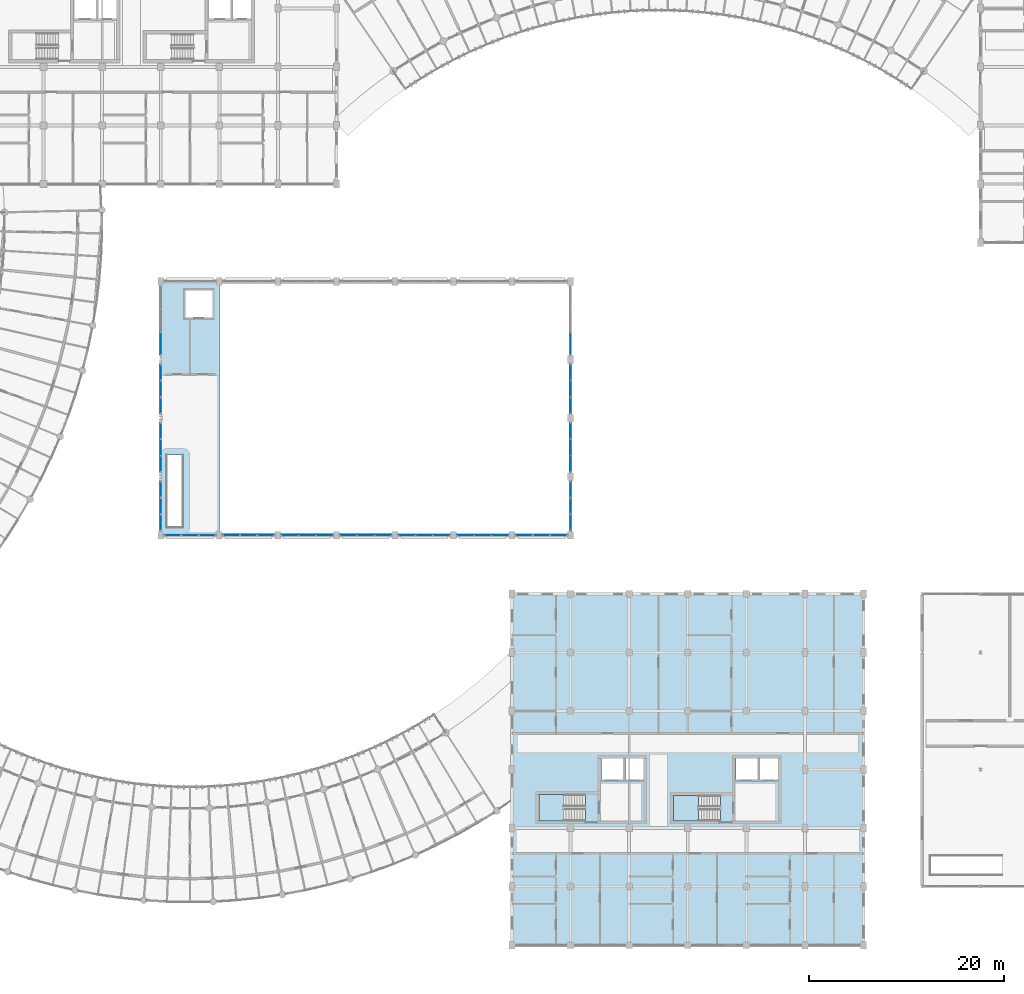
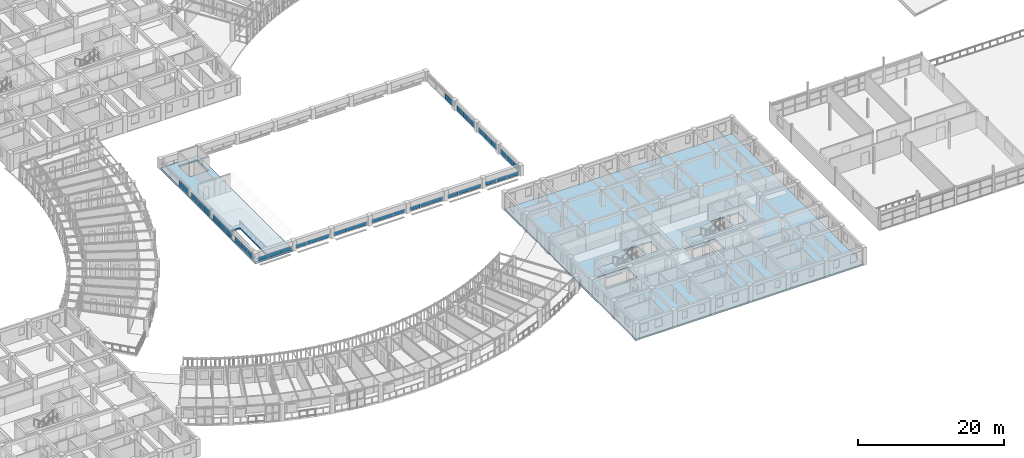
# One storey, part 78 of 137: 41 plates, 4 slabs, 17 elements without a shape of their own.
"""IFC4 building model written with IfcOpenShell, lengths in metres."""

from ifc_helpers import new_model, si_unit, direction, frame, origin, origin_2d, place, context, subcontext, project, spatial, polyline, rectangle, outline, extrude, material, layer, layer_set, type_object, element, aggregate, save


model = new_model("IFC4")

# Units and contexts
model_context = context("Model", 3, precision=1e-05, world=origin(), true_north=direction((0.0, 1.0)))
body_context = subcontext(model_context, "Body", "Model", "MODEL_VIEW")
ifc_project = project(units=[si_unit("LENGTHUNIT", "METRE"), si_unit("AREAUNIT", "SQUARE_METRE"), si_unit("VOLUMEUNIT", "CUBIC_METRE"), si_unit("PLANEANGLEUNIT", "RADIAN"), si_unit("MASSUNIT", "GRAM", prefix="KILO"), si_unit("POWERUNIT", "WATT"), si_unit("THERMODYNAMICTEMPERATUREUNIT", "KELVIN")], contexts=[model_context])

# Site, building, storey
site_placement = place(None, origin())
site = spatial("IfcSite", under=ifc_project, at=site_placement, CompositionType="ELEMENT")
building_placement = place(site_placement, origin())
building = spatial("IfcBuilding", under=site, at=building_placement, Name="Ruvembo Vaulted Housing Court", CompositionType="ELEMENT")
storey_placement = place(building_placement, frame((0.0, 0.0, 4.5)))
storey = spatial("IfcBuildingStorey", under=building, at=storey_placement, Name="L01", CompositionType="ELEMENT", Elevation=4.5)

# Curtain wall, plates
ifc_material_1 = material(Name="Anodised Aluminium and Solar-Control Glass", Category="aluminium")
ifc_layer_1 = layer(ifc_material_1, 0.139892578125, Name="Anodised Aluminium and Solar-Control Glass")
ifc_layer_set_1 = layer_set([ifc_layer_1], Name="Anodised Aluminium and Solar-Control Glass")
curtain_wall_type_1 = type_object("IfcCurtainWallType", Name="CW-HALL-CLER", PredefinedType="NOTDEFINED", material=ifc_layer_set_1)
curtain_wall_1_placement = place(storey_placement, origin())
curtain_wall_1 = element("IfcCurtainWall", 1, at=curtain_wall_1_placement, inside=storey, type_object=curtain_wall_type_1, Name="L01 Curtain Wall CW-L01-0090", PredefinedType="NOTDEFINED")
ifc_material_2 = material(Name="Solar-Control Laminated Insulating Glass", Category="glass")
ifc_layer_2 = layer(ifc_material_2, 0.035888671875, Name="Solar-Control Laminated Insulating Glass")
ifc_layer_set_2 = layer_set([ifc_layer_2], Name="Solar-Control Laminated Insulating Glass")
plate_type_1 = type_object("IfcPlateType", Name="CW-PANEL-ACOUST", PredefinedType="CURTAIN_PANEL", material=ifc_layer_set_2)
plate_1_placement = place(storey_placement, frame((67.23291015625, 42.0, 0.06005859375), z_axis=(0.0, 0.0, 1.0), x_axis=(1.0, 0.0, 0.0)))
plate_1 = element("IfcPlate", 2, at=plate_1_placement, type_object=plate_type_1, Name="CW7 panel 1.1", PredefinedType="CURTAIN_PANEL", context=body_context, shape_type="SweptSolid", body=[
    extrude(rectangle(XDim=1.685791015625, YDim=0.035888671875, at=origin_2d()), origin(), (0.0, 0.0, 1.0), 0.6298828125),
])
plate_2_placement = place(storey_placement, frame((69.0, 42.0, 0.06005859375), z_axis=(0.0, 0.0, 1.0), x_axis=(1.0, 0.0, 0.0)))
plate_2 = element("IfcPlate", 3, at=plate_2_placement, type_object=plate_type_1, Name="CW7 panel 2.1", PredefinedType="CURTAIN_PANEL", context=body_context, shape_type="SweptSolid", body=[
    extrude(rectangle(XDim=1.71826171875, YDim=0.035888671875, at=origin_2d()), origin(), (0.0, 0.0, 1.0), 0.6298828125),
])
plate_3_placement = place(storey_placement, frame((70.76708984375, 42.0, 0.06005859375), z_axis=(0.0, 0.0, 1.0), x_axis=(1.0, 0.0, 0.0)))
plate_3 = element("IfcPlate", 4, at=plate_3_placement, type_object=plate_type_1, Name="CW7 panel 3.1", PredefinedType="CURTAIN_PANEL", context=body_context, shape_type="SweptSolid", body=[
    extrude(rectangle(XDim=1.685791015625, YDim=0.035888671875, at=origin_2d()), origin(), (0.0, 0.0, 1.0), 0.6298828125),
])
aggregate(curtain_wall_1, [plate_1, plate_2, plate_3])

ifc_layer_3 = layer(ifc_material_1, 0.179931640625, Name="Anodised Aluminium and Solar-Control Glass")
ifc_layer_set_3 = layer_set([ifc_layer_3], Name="Anodised Aluminium and Solar-Control Glass")
curtain_wall_type_2 = type_object("IfcCurtainWallType", Name="CW-HALL-TYMP", PredefinedType="NOTDEFINED", material=ifc_layer_set_3)
curtain_wall_2_placement = place(storey_placement, origin())
curtain_wall_2 = element("IfcCurtainWall", 5, at=curtain_wall_2_placement, inside=storey, type_object=curtain_wall_type_2, Name="L01 Curtain Wall CW-L01-0114", PredefinedType="NOTDEFINED")
plate_4_placement = place(storey_placement, frame((66.0, 43.316162109375, 0.06005859375), z_axis=(0.0, 0.0, 1.0), x_axis=(0.0, 1.0, 0.0)))
plate_4 = element("IfcPlate", 6, at=plate_4_placement, type_object=plate_type_1, Name="CW2 panel 1.1", PredefinedType="CURTAIN_PANEL", context=body_context, shape_type="SweptSolid", body=[
    extrude(rectangle(XDim=1.6025390625, YDim=0.035888671875, at=origin_2d()), origin(), (0.0, 0.0, 1.0), 0.97998046875),
])
plate_5_placement = place(storey_placement, frame((66.0, 45.0, 0.06005859375), z_axis=(0.0, 0.0, 1.0), x_axis=(0.0, 1.0, 0.0)))
plate_5 = element("IfcPlate", 7, at=plate_5_placement, type_object=plate_type_1, Name="CW2 panel 2.1", PredefinedType="CURTAIN_PANEL", context=body_context, shape_type="SweptSolid", body=[
    extrude(rectangle(XDim=1.635009765625, YDim=0.035888671875, at=origin_2d()), origin(), (0.0, 0.0, 1.0), 0.97998046875),
])
plate_6_placement = place(storey_placement, frame((66.0, 46.683837890625, 0.06005859375), z_axis=(0.0, 0.0, 1.0), x_axis=(0.0, 1.0, 0.0)))
plate_6 = element("IfcPlate", 8, at=plate_6_placement, type_object=plate_type_1, Name="CW2 panel 3.1", PredefinedType="CURTAIN_PANEL", context=body_context, shape_type="SweptSolid", body=[
    extrude(rectangle(XDim=1.6025390625, YDim=0.035888671875, at=origin_2d()), origin(), (0.0, 0.0, 1.0), 0.97998046875),
])
aggregate(curtain_wall_2, [plate_4, plate_5, plate_6])

# Curtain wall, plate
curtain_wall_3_placement = place(storey_placement, origin())
curtain_wall_3 = element("IfcCurtainWall", 9, at=curtain_wall_3_placement, inside=storey, type_object=curtain_wall_type_2, Name="L01 Curtain Wall CW-L01-0120", PredefinedType="NOTDEFINED")
plate_7_placement = place(storey_placement, frame((66.0, 61.6484375, 0.06005859375), z_axis=(0.0, 0.0, 1.0), x_axis=(0.0, 1.0, 0.0)))
plate_7 = element("IfcPlate", 10, at=plate_7_placement, type_object=plate_type_1, Name="CW2 panel 1.1", PredefinedType="CURTAIN_PANEL", context=body_context, shape_type="SweptSolid", body=[
    extrude(rectangle(XDim=2.276611328125, YDim=0.035888671875, at=origin_2d()), origin(), (0.0, 0.0, 1.0), 0.97998046875),
])
aggregate(curtain_wall_3, [plate_7])

# Curtain wall, plates
curtain_wall_4_placement = place(storey_placement, origin())
curtain_wall_4 = element("IfcCurtainWall", 11, at=curtain_wall_4_placement, inside=storey, type_object=curtain_wall_type_2, Name="L01 Curtain Wall CW-L01-0126", PredefinedType="NOTDEFINED")
plate_8_placement = place(storey_placement, frame((108.0, 55.316162109375, 0.06005859375), z_axis=(0.0, 0.0, 1.0), x_axis=(0.0, 1.0, 0.0)))
plate_8 = element("IfcPlate", 12, at=plate_8_placement, type_object=plate_type_1, Name="CW2 panel 1.1", PredefinedType="CURTAIN_PANEL", context=body_context, shape_type="SweptSolid", body=[
    extrude(rectangle(XDim=1.6025390625, YDim=0.035888671875, at=origin_2d()), origin(), (0.0, 0.0, 1.0), 0.97998046875),
])
plate_9_placement = place(storey_placement, frame((108.0, 57.0, 0.06005859375), z_axis=(0.0, 0.0, 1.0), x_axis=(0.0, 1.0, 0.0)))
plate_9 = element("IfcPlate", 13, at=plate_9_placement, type_object=plate_type_1, Name="CW2 panel 2.1", PredefinedType="CURTAIN_PANEL", context=body_context, shape_type="SweptSolid", body=[
    extrude(rectangle(XDim=1.635009765625, YDim=0.035888671875, at=origin_2d()), origin(), (0.0, 0.0, 1.0), 0.97998046875),
])
plate_10_placement = place(storey_placement, frame((108.0, 58.683837890625, 0.06005859375), z_axis=(0.0, 0.0, 1.0), x_axis=(0.0, 1.0, 0.0)))
plate_10 = element("IfcPlate", 14, at=plate_10_placement, type_object=plate_type_1, Name="CW2 panel 3.1", PredefinedType="CURTAIN_PANEL", context=body_context, shape_type="SweptSolid", body=[
    extrude(rectangle(XDim=1.6025390625, YDim=0.035888671875, at=origin_2d()), origin(), (0.0, 0.0, 1.0), 0.97998046875),
])
aggregate(curtain_wall_4, [plate_8, plate_9, plate_10])

curtain_wall_5_placement = place(storey_placement, origin())
curtain_wall_5 = element("IfcCurtainWall", 15, at=curtain_wall_5_placement, inside=storey, type_object=curtain_wall_type_1, Name="L01 Curtain Wall CW-L01-0104", PredefinedType="NOTDEFINED")
ifc_layer_4 = layer(ifc_material_2, 0.028076171875, Name="Solar-Control Laminated Insulating Glass")
ifc_layer_set_4 = layer_set([ifc_layer_4], Name="Solar-Control Laminated Insulating Glass")
plate_type_2 = type_object("IfcPlateType", Name="CW-PANEL-GLAZED", PredefinedType="CURTAIN_PANEL", material=ifc_layer_set_4)
plate_11_placement = place(storey_placement, frame((91.231689453125, 42.0, 0.06005859375), z_axis=(0.0, 0.0, 1.0), x_axis=(1.0, 0.0, 0.0)))
plate_11 = element("IfcPlate", 16, at=plate_11_placement, type_object=plate_type_2, Name="CW7 panel 1.1", PredefinedType="CURTAIN_PANEL", context=body_context, shape_type="SweptSolid", body=[
    extrude(rectangle(XDim=1.693359375, YDim=0.028076171875, at=origin_2d()), origin(), (0.0, 0.0, 1.0), 0.6298828125),
])
plate_12_placement = place(storey_placement, frame((93.0, 42.0, 0.06005859375), z_axis=(0.0, 0.0, 1.0), x_axis=(1.0, 0.0, 0.0)))
plate_12 = element("IfcPlate", 17, at=plate_12_placement, type_object=plate_type_2, Name="CW7 panel 2.1", PredefinedType="CURTAIN_PANEL", context=body_context, shape_type="SweptSolid", body=[
    extrude(rectangle(XDim=1.723388671875, YDim=0.028076171875, at=origin_2d()), origin(), (0.0, 0.0, 1.0), 0.6298828125),
])
plate_13_placement = place(storey_placement, frame((94.768310546875, 42.0, 0.06005859375), z_axis=(0.0, 0.0, 1.0), x_axis=(1.0, 0.0, 0.0)))
plate_13 = element("IfcPlate", 18, at=plate_13_placement, type_object=plate_type_2, Name="CW7 panel 3.1", PredefinedType="CURTAIN_PANEL", context=body_context, shape_type="SweptSolid", body=[
    extrude(rectangle(XDim=1.693359375, YDim=0.028076171875, at=origin_2d()), origin(), (0.0, 0.0, 1.0), 0.6298828125),
])
aggregate(curtain_wall_5, [plate_11, plate_12, plate_13])

curtain_wall_6_placement = place(storey_placement, origin())
curtain_wall_6 = element("IfcCurtainWall", 19, at=curtain_wall_6_placement, inside=storey, type_object=curtain_wall_type_1, Name="L01 Curtain Wall CW-L01-0107", PredefinedType="NOTDEFINED")
plate_14_placement = place(storey_placement, frame((97.23046875, 42.0, 0.06005859375), z_axis=(0.0, 0.0, 1.0), x_axis=(1.0, 0.0, 0.0)))
plate_14 = element("IfcPlate", 20, at=plate_14_placement, type_object=plate_type_2, Name="CW7 panel 1.1", PredefinedType="CURTAIN_PANEL", context=body_context, shape_type="SweptSolid", body=[
    extrude(rectangle(XDim=1.700927734375, YDim=0.028076171875, at=origin_2d()), origin(), (0.0, 0.0, 1.0), 0.6298828125),
])
plate_15_placement = place(storey_placement, frame((99.0, 42.0, 0.06005859375), z_axis=(0.0, 0.0, 1.0), x_axis=(1.0, 0.0, 0.0)))
plate_15 = element("IfcPlate", 21, at=plate_15_placement, type_object=plate_type_2, Name="CW7 panel 2.1", PredefinedType="CURTAIN_PANEL", context=body_context, shape_type="SweptSolid", body=[
    extrude(rectangle(XDim=1.728271484375, YDim=0.028076171875, at=origin_2d()), origin(), (0.0, 0.0, 1.0), 0.6298828125),
])
plate_16_placement = place(storey_placement, frame((100.76953125, 42.0, 0.06005859375), z_axis=(0.0, 0.0, 1.0), x_axis=(1.0, 0.0, 0.0)))
plate_16 = element("IfcPlate", 22, at=plate_16_placement, type_object=plate_type_2, Name="CW7 panel 3.1", PredefinedType="CURTAIN_PANEL", context=body_context, shape_type="SweptSolid", body=[
    extrude(rectangle(XDim=1.700927734375, YDim=0.028076171875, at=origin_2d()), origin(), (0.0, 0.0, 1.0), 0.6298828125),
])
aggregate(curtain_wall_6, [plate_14, plate_15, plate_16])

curtain_wall_7_placement = place(storey_placement, origin())
curtain_wall_7 = element("IfcCurtainWall", 23, at=curtain_wall_7_placement, inside=storey, type_object=curtain_wall_type_1, Name="L01 Curtain Wall CW-L01-0110", PredefinedType="NOTDEFINED")
plate_17_placement = place(storey_placement, frame((103.23291015625, 42.0, 0.06005859375), z_axis=(0.0, 0.0, 1.0), x_axis=(1.0, 0.0, 0.0)))
plate_17 = element("IfcPlate", 24, at=plate_17_placement, type_object=plate_type_2, Name="CW7 panel 1.1", PredefinedType="CURTAIN_PANEL", context=body_context, shape_type="SweptSolid", body=[
    extrude(rectangle(XDim=1.685791015625, YDim=0.028076171875, at=origin_2d()), origin(), (0.0, 0.0, 1.0), 0.6298828125),
])
plate_18_placement = place(storey_placement, frame((105.0, 42.0, 0.06005859375), z_axis=(0.0, 0.0, 1.0), x_axis=(1.0, 0.0, 0.0)))
plate_18 = element("IfcPlate", 25, at=plate_18_placement, type_object=plate_type_2, Name="CW7 panel 2.1", PredefinedType="CURTAIN_PANEL", context=body_context, shape_type="SweptSolid", body=[
    extrude(rectangle(XDim=1.71826171875, YDim=0.028076171875, at=origin_2d()), origin(), (0.0, 0.0, 1.0), 0.6298828125),
])
plate_19_placement = place(storey_placement, frame((106.76708984375, 42.0, 0.06005859375), z_axis=(0.0, 0.0, 1.0), x_axis=(1.0, 0.0, 0.0)))
plate_19 = element("IfcPlate", 26, at=plate_19_placement, type_object=plate_type_2, Name="CW7 panel 3.1", PredefinedType="CURTAIN_PANEL", context=body_context, shape_type="SweptSolid", body=[
    extrude(rectangle(XDim=1.685791015625, YDim=0.028076171875, at=origin_2d()), origin(), (0.0, 0.0, 1.0), 0.6298828125),
])
aggregate(curtain_wall_7, [plate_17, plate_18, plate_19])

curtain_wall_8_placement = place(storey_placement, origin())
curtain_wall_8 = element("IfcCurtainWall", 27, at=curtain_wall_8_placement, inside=storey, type_object=curtain_wall_type_2, Name="L01 Curtain Wall CW-L01-0116", PredefinedType="NOTDEFINED")
plate_20_placement = place(storey_placement, frame((66.0, 49.31494140625, 0.06005859375), z_axis=(0.0, 0.0, 1.0), x_axis=(0.0, 1.0, 0.0)))
plate_20 = element("IfcPlate", 28, at=plate_20_placement, type_object=plate_type_2, Name="CW2 panel 1.1", PredefinedType="CURTAIN_PANEL", context=body_context, shape_type="SweptSolid", body=[
    extrude(rectangle(XDim=1.610107421875, YDim=0.028076171875, at=origin_2d()), origin(), (0.0, 0.0, 1.0), 0.97998046875),
])
plate_21_placement = place(storey_placement, frame((66.0, 51.0, 0.06005859375), z_axis=(0.0, 0.0, 1.0), x_axis=(0.0, 1.0, 0.0)))
plate_21 = element("IfcPlate", 29, at=plate_21_placement, type_object=plate_type_2, Name="CW2 panel 2.1", PredefinedType="CURTAIN_PANEL", context=body_context, shape_type="SweptSolid", body=[
    extrude(rectangle(XDim=1.639892578125, YDim=0.028076171875, at=origin_2d()), origin(), (0.0, 0.0, 1.0), 0.97998046875),
])
plate_22_placement = place(storey_placement, frame((66.0, 52.68505859375, 0.06005859375), z_axis=(0.0, 0.0, 1.0), x_axis=(0.0, 1.0, 0.0)))
plate_22 = element("IfcPlate", 30, at=plate_22_placement, type_object=plate_type_2, Name="CW2 panel 3.1", PredefinedType="CURTAIN_PANEL", context=body_context, shape_type="SweptSolid", body=[
    extrude(rectangle(XDim=1.610107421875, YDim=0.028076171875, at=origin_2d()), origin(), (0.0, 0.0, 1.0), 0.97998046875),
])
aggregate(curtain_wall_8, [plate_20, plate_21, plate_22])

curtain_wall_9_placement = place(storey_placement, origin())
curtain_wall_9 = element("IfcCurtainWall", 31, at=curtain_wall_9_placement, inside=storey, type_object=curtain_wall_type_2, Name="L01 Curtain Wall CW-L01-0122", PredefinedType="NOTDEFINED")
plate_23_placement = place(storey_placement, frame((108.0, 43.316162109375, 0.06005859375), z_axis=(0.0, 0.0, 1.0), x_axis=(0.0, 1.0, 0.0)))
plate_23 = element("IfcPlate", 32, at=plate_23_placement, type_object=plate_type_2, Name="CW2 panel 1.1", PredefinedType="CURTAIN_PANEL", context=body_context, shape_type="SweptSolid", body=[
    extrude(rectangle(XDim=1.6025390625, YDim=0.028076171875, at=origin_2d()), origin(), (0.0, 0.0, 1.0), 0.97998046875),
])
plate_24_placement = place(storey_placement, frame((108.0, 45.0, 0.06005859375), z_axis=(0.0, 0.0, 1.0), x_axis=(0.0, 1.0, 0.0)))
plate_24 = element("IfcPlate", 33, at=plate_24_placement, type_object=plate_type_2, Name="CW2 panel 2.1", PredefinedType="CURTAIN_PANEL", context=body_context, shape_type="SweptSolid", body=[
    extrude(rectangle(XDim=1.635009765625, YDim=0.028076171875, at=origin_2d()), origin(), (0.0, 0.0, 1.0), 0.97998046875),
])
plate_25_placement = place(storey_placement, frame((108.0, 46.683837890625, 0.06005859375), z_axis=(0.0, 0.0, 1.0), x_axis=(0.0, 1.0, 0.0)))
plate_25 = element("IfcPlate", 34, at=plate_25_placement, type_object=plate_type_2, Name="CW2 panel 3.1", PredefinedType="CURTAIN_PANEL", context=body_context, shape_type="SweptSolid", body=[
    extrude(rectangle(XDim=1.6025390625, YDim=0.028076171875, at=origin_2d()), origin(), (0.0, 0.0, 1.0), 0.97998046875),
])
aggregate(curtain_wall_9, [plate_23, plate_24, plate_25])

# Curtain wall, plate
curtain_wall_10_placement = place(storey_placement, origin())
curtain_wall_10 = element("IfcCurtainWall", 35, at=curtain_wall_10_placement, inside=storey, type_object=curtain_wall_type_2, Name="L01 Curtain Wall CW-L01-0128", PredefinedType="NOTDEFINED")
plate_26_placement = place(storey_placement, frame((108.0, 61.6484375, 0.06005859375), z_axis=(0.0, 0.0, 1.0), x_axis=(0.0, 1.0, 0.0)))
plate_26 = element("IfcPlate", 36, at=plate_26_placement, type_object=plate_type_2, Name="CW2 panel 1.1", PredefinedType="CURTAIN_PANEL", context=body_context, shape_type="SweptSolid", body=[
    extrude(rectangle(XDim=2.276611328125, YDim=0.028076171875, at=origin_2d()), origin(), (0.0, 0.0, 1.0), 0.97998046875),
])
aggregate(curtain_wall_10, [plate_26])

# Curtain wall, plates
curtain_wall_11_placement = place(storey_placement, origin())
curtain_wall_11 = element("IfcCurtainWall", 37, at=curtain_wall_11_placement, inside=storey, type_object=curtain_wall_type_1, Name="L01 Curtain Wall CW-L01-0094", PredefinedType="NOTDEFINED")
ifc_layer_5 = layer(ifc_material_2, 0.031982421875, Name="Solar-Control Laminated Insulating Glass")
ifc_layer_set_5 = layer_set([ifc_layer_5], Name="Solar-Control Laminated Insulating Glass")
plate_type_3 = type_object("IfcPlateType", Name="CW-PANEL-SOLAR", PredefinedType="CURTAIN_PANEL", material=ifc_layer_set_5)
plate_27_placement = place(storey_placement, frame((73.23291015625, 42.0, 0.06494140625), z_axis=(0.0, 0.0, 1.0), x_axis=(1.0, 0.0, 0.0)))
plate_27 = element("IfcPlate", 38, at=plate_27_placement, type_object=plate_type_3, Name="CW7 panel 1.1", PredefinedType="CURTAIN_PANEL", context=body_context, shape_type="SweptSolid", body=[
    extrude(rectangle(XDim=1.685791015625, YDim=0.031982421875, at=origin_2d()), origin(), (0.0, 0.0, 1.0), 0.6201171875),
])
plate_28_placement = place(storey_placement, frame((75.0, 42.0, 0.06494140625), z_axis=(0.0, 0.0, 1.0), x_axis=(1.0, 0.0, 0.0)))
plate_28 = element("IfcPlate", 39, at=plate_28_placement, type_object=plate_type_3, Name="CW7 panel 2.1", PredefinedType="CURTAIN_PANEL", context=body_context, shape_type="SweptSolid", body=[
    extrude(rectangle(XDim=1.71826171875, YDim=0.031982421875, at=origin_2d()), origin(), (0.0, 0.0, 1.0), 0.6201171875),
])
plate_29_placement = place(storey_placement, frame((76.76708984375, 42.0, 0.06494140625), z_axis=(0.0, 0.0, 1.0), x_axis=(1.0, 0.0, 0.0)))
plate_29 = element("IfcPlate", 40, at=plate_29_placement, type_object=plate_type_3, Name="CW7 panel 3.1", PredefinedType="CURTAIN_PANEL", context=body_context, shape_type="SweptSolid", body=[
    extrude(rectangle(XDim=1.685791015625, YDim=0.031982421875, at=origin_2d()), origin(), (0.0, 0.0, 1.0), 0.6201171875),
])
aggregate(curtain_wall_11, [plate_27, plate_28, plate_29])

curtain_wall_12_placement = place(storey_placement, origin())
curtain_wall_12 = element("IfcCurtainWall", 41, at=curtain_wall_12_placement, inside=storey, type_object=curtain_wall_type_1, Name="L01 Curtain Wall CW-L01-0097", PredefinedType="NOTDEFINED")
plate_30_placement = place(storey_placement, frame((79.231689453125, 42.0, 0.06494140625), z_axis=(0.0, 0.0, 1.0), x_axis=(1.0, 0.0, 0.0)))
plate_30 = element("IfcPlate", 42, at=plate_30_placement, type_object=plate_type_3, Name="CW7 panel 1.1", PredefinedType="CURTAIN_PANEL", context=body_context, shape_type="SweptSolid", body=[
    extrude(rectangle(XDim=1.693359375, YDim=0.031982421875, at=origin_2d()), origin(), (0.0, 0.0, 1.0), 0.6201171875),
])
plate_31_placement = place(storey_placement, frame((81.0, 42.0, 0.06494140625), z_axis=(0.0, 0.0, 1.0), x_axis=(1.0, 0.0, 0.0)))
plate_31 = element("IfcPlate", 43, at=plate_31_placement, type_object=plate_type_3, Name="CW7 panel 2.1", PredefinedType="CURTAIN_PANEL", context=body_context, shape_type="SweptSolid", body=[
    extrude(rectangle(XDim=1.723388671875, YDim=0.031982421875, at=origin_2d()), origin(), (0.0, 0.0, 1.0), 0.6201171875),
])
plate_32_placement = place(storey_placement, frame((82.768310546875, 42.0, 0.06494140625), z_axis=(0.0, 0.0, 1.0), x_axis=(1.0, 0.0, 0.0)))
plate_32 = element("IfcPlate", 44, at=plate_32_placement, type_object=plate_type_3, Name="CW7 panel 3.1", PredefinedType="CURTAIN_PANEL", context=body_context, shape_type="SweptSolid", body=[
    extrude(rectangle(XDim=1.693359375, YDim=0.031982421875, at=origin_2d()), origin(), (0.0, 0.0, 1.0), 0.6201171875),
])
aggregate(curtain_wall_12, [plate_30, plate_31, plate_32])

curtain_wall_13_placement = place(storey_placement, origin())
curtain_wall_13 = element("IfcCurtainWall", 45, at=curtain_wall_13_placement, inside=storey, type_object=curtain_wall_type_1, Name="L01 Curtain Wall CW-L01-0100", PredefinedType="NOTDEFINED")
plate_33_placement = place(storey_placement, frame((85.231689453125, 42.0, 0.06494140625), z_axis=(0.0, 0.0, 1.0), x_axis=(1.0, 0.0, 0.0)))
plate_33 = element("IfcPlate", 46, at=plate_33_placement, type_object=plate_type_3, Name="CW7 panel 1.1", PredefinedType="CURTAIN_PANEL", context=body_context, shape_type="SweptSolid", body=[
    extrude(rectangle(XDim=1.693359375, YDim=0.031982421875, at=origin_2d()), origin(), (0.0, 0.0, 1.0), 0.6201171875),
])
plate_34_placement = place(storey_placement, frame((87.0, 42.0, 0.06494140625), z_axis=(0.0, 0.0, 1.0), x_axis=(1.0, 0.0, 0.0)))
plate_34 = element("IfcPlate", 47, at=plate_34_placement, type_object=plate_type_3, Name="CW7 panel 2.1", PredefinedType="CURTAIN_PANEL", context=body_context, shape_type="SweptSolid", body=[
    extrude(rectangle(XDim=1.723388671875, YDim=0.031982421875, at=origin_2d()), origin(), (0.0, 0.0, 1.0), 0.6201171875),
])
plate_35_placement = place(storey_placement, frame((88.768310546875, 42.0, 0.06494140625), z_axis=(0.0, 0.0, 1.0), x_axis=(1.0, 0.0, 0.0)))
plate_35 = element("IfcPlate", 48, at=plate_35_placement, type_object=plate_type_3, Name="CW7 panel 3.1", PredefinedType="CURTAIN_PANEL", context=body_context, shape_type="SweptSolid", body=[
    extrude(rectangle(XDim=1.693359375, YDim=0.031982421875, at=origin_2d()), origin(), (0.0, 0.0, 1.0), 0.6201171875),
])
aggregate(curtain_wall_13, [plate_33, plate_34, plate_35])

curtain_wall_14_placement = place(storey_placement, origin())
curtain_wall_14 = element("IfcCurtainWall", 49, at=curtain_wall_14_placement, inside=storey, type_object=curtain_wall_type_2, Name="L01 Curtain Wall CW-L01-0118", PredefinedType="NOTDEFINED")
plate_36_placement = place(storey_placement, frame((66.0, 55.316162109375, 0.06494140625), z_axis=(0.0, 0.0, 1.0), x_axis=(0.0, 1.0, 0.0)))
plate_36 = element("IfcPlate", 50, at=plate_36_placement, type_object=plate_type_3, Name="CW2 panel 1.1", PredefinedType="CURTAIN_PANEL", context=body_context, shape_type="SweptSolid", body=[
    extrude(rectangle(XDim=1.6025390625, YDim=0.031982421875, at=origin_2d()), origin(), (0.0, 0.0, 1.0), 0.969970703125),
])
plate_37_placement = place(storey_placement, frame((66.0, 57.0, 0.06494140625), z_axis=(0.0, 0.0, 1.0), x_axis=(0.0, 1.0, 0.0)))
plate_37 = element("IfcPlate", 51, at=plate_37_placement, type_object=plate_type_3, Name="CW2 panel 2.1", PredefinedType="CURTAIN_PANEL", context=body_context, shape_type="SweptSolid", body=[
    extrude(rectangle(XDim=1.635009765625, YDim=0.031982421875, at=origin_2d()), origin(), (0.0, 0.0, 1.0), 0.969970703125),
])
plate_38_placement = place(storey_placement, frame((66.0, 58.683837890625, 0.06494140625), z_axis=(0.0, 0.0, 1.0), x_axis=(0.0, 1.0, 0.0)))
plate_38 = element("IfcPlate", 52, at=plate_38_placement, type_object=plate_type_3, Name="CW2 panel 3.1", PredefinedType="CURTAIN_PANEL", context=body_context, shape_type="SweptSolid", body=[
    extrude(rectangle(XDim=1.6025390625, YDim=0.031982421875, at=origin_2d()), origin(), (0.0, 0.0, 1.0), 0.969970703125),
])
aggregate(curtain_wall_14, [plate_36, plate_37, plate_38])

curtain_wall_15_placement = place(storey_placement, origin())
curtain_wall_15 = element("IfcCurtainWall", 53, at=curtain_wall_15_placement, inside=storey, type_object=curtain_wall_type_2, Name="L01 Curtain Wall CW-L01-0124", PredefinedType="NOTDEFINED")
plate_39_placement = place(storey_placement, frame((108.0, 49.31494140625, 0.06494140625), z_axis=(0.0, 0.0, 1.0), x_axis=(0.0, 1.0, 0.0)))
plate_39 = element("IfcPlate", 54, at=plate_39_placement, type_object=plate_type_3, Name="CW2 panel 1.1", PredefinedType="CURTAIN_PANEL", context=body_context, shape_type="SweptSolid", body=[
    extrude(rectangle(XDim=1.610107421875, YDim=0.031982421875, at=origin_2d()), origin(), (0.0, 0.0, 1.0), 0.969970703125),
])
plate_40_placement = place(storey_placement, frame((108.0, 51.0, 0.06494140625), z_axis=(0.0, 0.0, 1.0), x_axis=(0.0, 1.0, 0.0)))
plate_40 = element("IfcPlate", 55, at=plate_40_placement, type_object=plate_type_3, Name="CW2 panel 2.1", PredefinedType="CURTAIN_PANEL", context=body_context, shape_type="SweptSolid", body=[
    extrude(rectangle(XDim=1.639892578125, YDim=0.031982421875, at=origin_2d()), origin(), (0.0, 0.0, 1.0), 0.969970703125),
])
plate_41_placement = place(storey_placement, frame((108.0, 52.68505859375, 0.06494140625), z_axis=(0.0, 0.0, 1.0), x_axis=(0.0, 1.0, 0.0)))
plate_41 = element("IfcPlate", 56, at=plate_41_placement, type_object=plate_type_3, Name="CW2 panel 3.1", PredefinedType="CURTAIN_PANEL", context=body_context, shape_type="SweptSolid", body=[
    extrude(rectangle(XDim=1.610107421875, YDim=0.031982421875, at=origin_2d()), origin(), (0.0, 0.0, 1.0), 0.969970703125),
])
aggregate(curtain_wall_15, [plate_39, plate_40, plate_41])

# Slabs
ifc_material_3 = material(Name="Concrete C30/37", Category="concrete")
ifc_layer_6 = layer(ifc_material_3, 0.27001953125, Name="Concrete C30/37")
ifc_layer_set_6 = layer_set([ifc_layer_6], Name="Concrete C30/37")
slab_type_1 = type_object("IfcSlabType", Name="SL-FLR-270", PredefinedType="FLOOR", material=ifc_layer_set_6)
slab_1_placement = place(storey_placement, frame((0.0, 0.0, -0.27001953125)))
element("IfcSlab", 57, at=slab_1_placement, inside=storey, type_object=slab_type_1, Name="Block C L01 Structural Floor Slab", PredefinedType="FLOOR", context=body_context, shape_type="SweptSolid", body=[
    extrude(outline(polyline([(138.0, 0.0), (138.0, 36.0), (102.0, 36.0), (102.0, 0.0), (138.0, 0.0)]), holes=[polyline([(109.5, 15.449951171875), (104.75, 15.449951171875), (104.75, 12.75), (109.5, 12.75), (109.5, 15.449951171875)]), polyline([(111.14990234375, 16.85009765625), (113.35009765625, 16.85009765625), (113.35009765625, 19.25), (111.14990234375, 19.25), (111.14990234375, 16.85009765625)]), polyline([(113.60009765625, 16.85009765625), (115.449951171875, 16.85009765625), (115.449951171875, 19.25), (113.60009765625, 19.25), (113.60009765625, 16.85009765625)]), polyline([(123.35009765625, 15.35009765625), (118.550048828125, 15.35009765625), (118.550048828125, 12.75), (123.35009765625, 12.75), (123.35009765625, 15.35009765625)]), polyline([(124.949951171875, 16.85009765625), (127.14990234375, 16.85009765625), (127.14990234375, 19.25), (124.949951171875, 19.25), (124.949951171875, 16.85009765625)]), polyline([(127.39990234375, 16.85009765625), (129.25, 16.85009765625), (129.25, 19.25), (127.39990234375, 19.25), (127.39990234375, 16.85009765625)])]), origin(), (0.0, 0.0, 1.0), 0.27001953125),
])
slab_2_placement = place(storey_placement, frame((0.0, 0.0, -0.27001953125)))
element("IfcSlab", 58, at=slab_2_placement, inside=storey, type_object=slab_type_1, Name="Community Hall L01 West Gallery Mezzanine Slab", PredefinedType="FLOOR", context=body_context, shape_type="SweptSolid", body=[
    extrude(outline(polyline([(66.0, 42.0), (72.0, 42.0), (72.0, 68.0), (66.0, 68.0), (66.0, 42.0)]), holes=[polyline([(68.39990234375, 64.199951171875), (71.39990234375, 64.199951171875), (71.39990234375, 67.199951171875), (68.39990234375, 67.199951171875), (68.39990234375, 64.199951171875)]), polyline([(66.60009765625, 42.800048828125), (68.300048828125, 42.800048828125), (68.300048828125, 50.219970703125), (66.60009765625, 50.219970703125), (66.60009765625, 42.800048828125)])]), origin(), (0.0, 0.0, 1.0), 0.27001953125),
])

# Stair, slab
ifc_material_4 = material(Name="Concrete C35/45", Category="concrete")
stair_type_1 = type_object("IfcStairType", Name="STR-CORE-1250", PredefinedType="HALF_TURN_STAIR", material=ifc_material_4)
stair_1_placement = place(storey_placement, origin())
stair_1 = element("IfcStair", 59, at=stair_1_placement, inside=storey, type_object=stair_type_1, Name="L01 Protected Exit Stair ST-C1", PredefinedType="HALF_TURN_STAIR")
ifc_layer_7 = layer(ifc_material_3, 0.201904296875, Name="Concrete C30/37")
ifc_layer_set_7 = layer_set([ifc_layer_7], Name="Concrete C30/37")
slab_type_2 = type_object("IfcSlabType", Name="SL-LAND-202", PredefinedType="LANDING", material=ifc_layer_set_7)
slab_3_placement = place(storey_placement, frame((0.0, 0.0, 1.39990234375)))
slab_3 = element("IfcSlab", 60, at=slab_3_placement, type_object=slab_type_2, Name="ST-C1 landing 1", PredefinedType="LANDING", context=body_context, shape_type="SweptSolid", body=[
    extrude(outline(polyline([(107.260009765625, 15.449951171875), (104.75, 15.449951171875), (104.75, 12.75), (107.260009765625, 12.75), (107.260009765625, 15.449951171875)])), origin(), (0.0, 0.0, 1.0), 0.2001953125),
])
aggregate(stair_1, [slab_3])

stair_type_2 = type_object("IfcStairType", Name="STR-CORE-1200", PredefinedType="HALF_TURN_STAIR", material=ifc_material_4)
stair_2_placement = place(storey_placement, origin())
stair_2 = element("IfcStair", 61, at=stair_2_placement, inside=storey, type_object=stair_type_2, Name="L01 Protected Exit Stair ST-C2", PredefinedType="HALF_TURN_STAIR")
slab_4_placement = place(storey_placement, frame((0.0, 0.0, 1.39990234375)))
slab_4 = element("IfcSlab", 62, at=slab_4_placement, type_object=slab_type_2, Name="ST-C2 landing 1", PredefinedType="LANDING", context=body_context, shape_type="SweptSolid", body=[
    extrude(outline(polyline([(121.110107421875, 15.35009765625), (118.550048828125, 15.35009765625), (118.550048828125, 12.75), (121.110107421875, 12.75), (121.110107421875, 15.35009765625)])), origin(), (0.0, 0.0, 1.0), 0.2001953125),
])
aggregate(stair_2, [slab_4])

save(model, "model.ifc")
